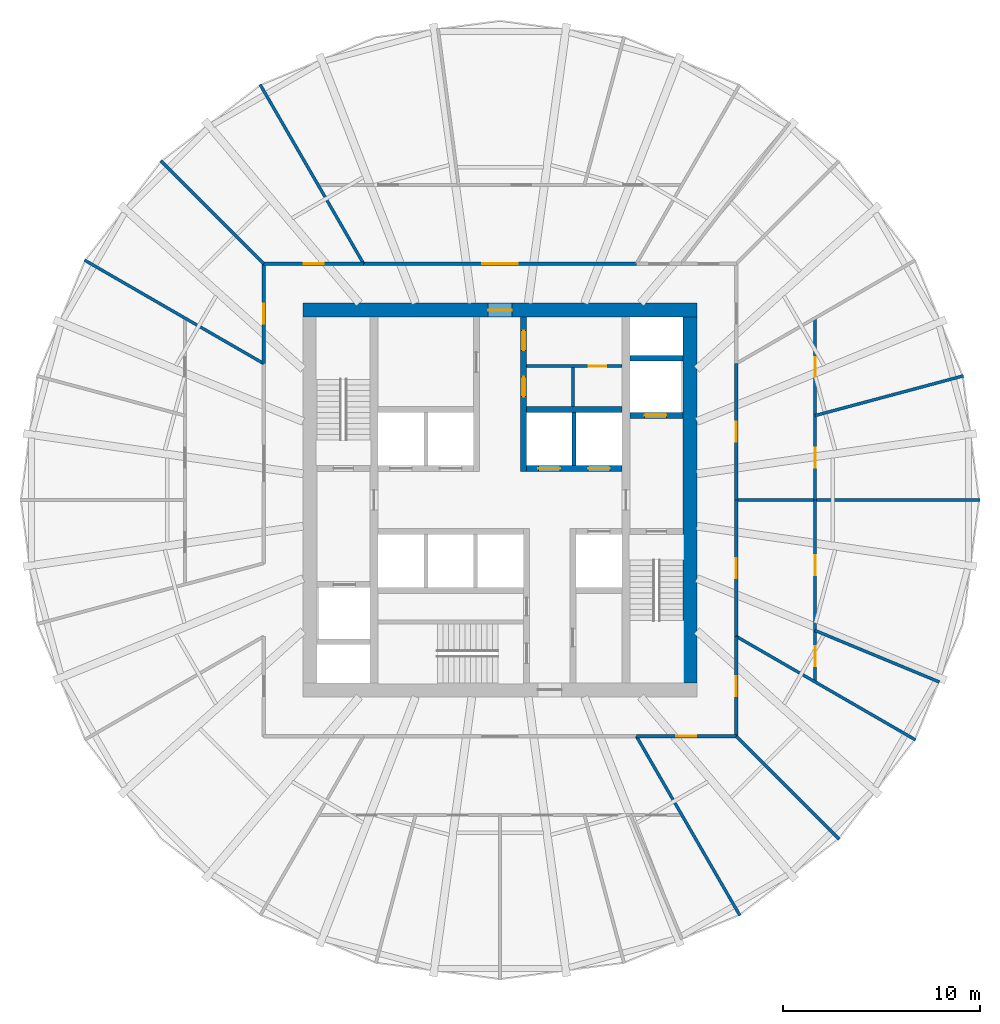
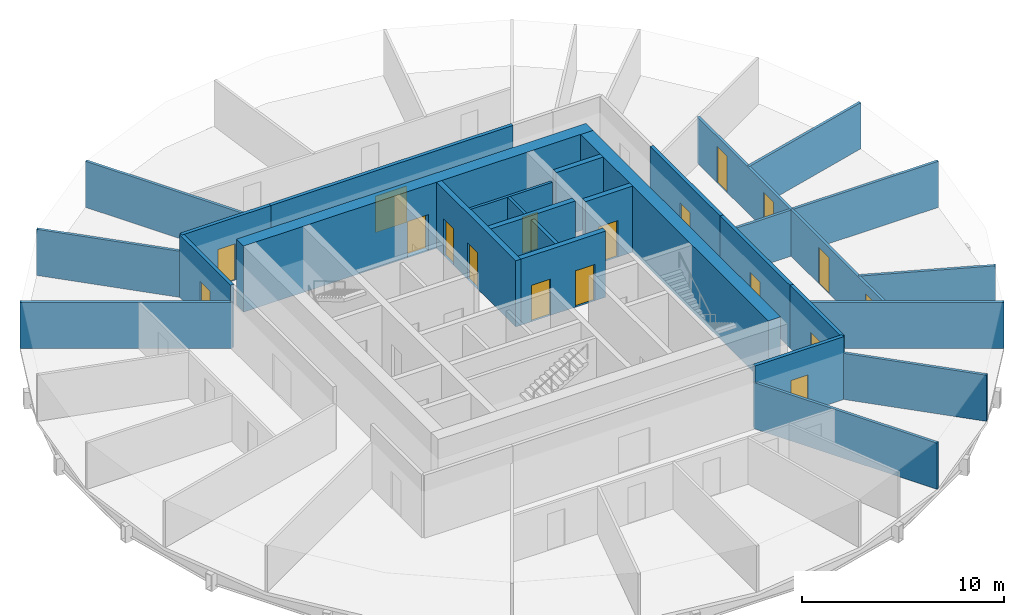
# One storey, part 4 of 6: 28 walls, 18 doors, 18 openings.
"""IFC4 building model written with IfcOpenShell, lengths in metres."""

import ifcopenshell
import ifcopenshell.guid

model = None  # the IFC model being written
_history = None  # IfcOwnerHistory: only IFC2X3 demands one
_inside = {}  # id of a spatial element -> (the spatial element, [elements in it])
_under = {}  # id of a project, library or spatial element -> (it, [spatial elements below it])
_declared = {}  # id of a project -> (the project, [libraries it declares])
_typed = {}  # id of a type object -> (the type object, [elements of that type])
_made_of = {}  # id of a material, layer set ... -> (it, [elements and type objects made of it])


def new_model(schema):
    """Start an empty IFC model of exactly this schema.

    Asked for "IFC4X3", IfcOpenShell would pick the latest addendum, in which some entities
    have other attributes; the version numbers below select the first issue.
    IFC2X3 requires an IfcOwnerHistory on every rooted entity: one is made here for all.
    """
    global model, _history
    if schema == "IFC4X3":
        model = ifcopenshell.file(schema_version=(4, 3, 0, 0))
    else:
        model = ifcopenshell.file(schema=schema)
    _inside.clear()
    _under.clear()
    _declared.clear()
    _typed.clear()
    _made_of.clear()
    _history = None
    if model.schema == "IFC2X3":
        org = make("IfcOrganization", Name="unknown")
        user = make(
            "IfcPersonAndOrganization",
            ThePerson=make("IfcPerson", FamilyName="unknown"),
            TheOrganization=org,
        )
        app = make(
            "IfcApplication",
            ApplicationDeveloper=org,
            Version="unknown",
            ApplicationFullName="unknown",
            ApplicationIdentifier="unknown",
        )
        _history = make(
            "IfcOwnerHistory",
            OwningUser=user,
            OwningApplication=app,
            ChangeAction="ADDED",
            CreationDate=0,
        )
    return model


def make(cls, **values):
    """One entity of the class cls with the attributes given. An attribute that is None is left unset."""
    return model.create_entity(
        cls, **{name: value for name, value in values.items() if value is not None}
    )


def rooted(cls, **values):
    """An entity with a GlobalId (a new one), such as an element, a storey or a relation."""
    return make(cls, GlobalId=ifcopenshell.guid.new(), OwnerHistory=_history, **values)


def si_unit(unit_type, name, prefix=None):
    """IfcSIUnit, for example si_unit("LENGTHUNIT", "METRE", prefix="MILLI")."""
    return make("IfcSIUnit", UnitType=unit_type, Prefix=prefix, Name=name)


def assignment(units):
    """IfcUnitAssignment: the units of a project."""
    return None if units is None else make("IfcUnitAssignment", Units=units)


def point(xyz):
    """IfcCartesianPoint."""
    return None if xyz is None else make("IfcCartesianPoint", Coordinates=xyz)


def direction(xyz):
    """IfcDirection."""
    return None if xyz is None else make("IfcDirection", DirectionRatios=xyz)


def frame(location, z_axis=None, x_axis=None):
    """IfcAxis2Placement3D, a coordinate frame: its origin and axes. An axis left out is left unset."""
    return make(
        "IfcAxis2Placement3D",
        Location=point(location),
        Axis=direction(z_axis),
        RefDirection=direction(x_axis),
    )


def frame_2d(location, x_axis=None):
    """IfcAxis2Placement2D, a coordinate frame in the plane: its origin and x axis."""
    return make(
        "IfcAxis2Placement2D", Location=point(location), RefDirection=direction(x_axis)
    )


def origin():
    """The frame at (0, 0, 0) with its axes left unset."""
    return frame((0.0, 0.0, 0.0))


def place(relative_to, where):
    """IfcLocalPlacement: puts the frame where relative to a parent placement (None: the world)."""
    return make(
        "IfcLocalPlacement", PlacementRelTo=relative_to, RelativePlacement=where
    )


def context(
    kind, dimensions, precision=None, world=None, true_north=None, identifier=None
):
    """IfcGeometricRepresentationContext, for example the 3D "Model" context."""
    return make(
        "IfcGeometricRepresentationContext",
        ContextIdentifier=identifier,
        ContextType=kind,
        CoordinateSpaceDimension=dimensions,
        Precision=precision,
        WorldCoordinateSystem=world,
        TrueNorth=true_north,
    )


def subcontext(parent, identifier, kind, view, scale=None):
    """IfcGeometricRepresentationSubContext, for example "Body" below "Model"."""
    return make(
        "IfcGeometricRepresentationSubContext",
        ContextIdentifier=identifier,
        ContextType=kind,
        ParentContext=parent,
        TargetScale=scale,
        TargetView=view,
    )


def project(units=None, contexts=None):
    """IfcProject with its units and contexts."""
    return rooted(
        "IfcProject",
        Name="project",
        RepresentationContexts=contexts,
        UnitsInContext=assignment(units),
    )


def spatial(cls, under=None, at=None, **own):
    """A site, building, storey or space (cls), placed at a placement, below another one or the project."""
    s = rooted(cls, ObjectPlacement=at, **own)
    if under is not None:
        _under.setdefault(under.id(), (under, []))[1].append(s)
    return s


def profile(cls, at=None, kind="AREA", **sizes):
    """A parametric profile (cls). Its sizes go by their IFC names, for example OverallWidth=200.0."""
    return make(cls, ProfileType=kind, Position=at, **sizes)


def rectangle(**sizes):
    """IfcRectangleProfileDef."""
    return profile("IfcRectangleProfileDef", **sizes)


def extrude(swept, where, along, depth):
    """IfcExtrudedAreaSolid: the profile swept, set in the frame where, extruded along a direction by depth."""
    return make(
        "IfcExtrudedAreaSolid",
        SweptArea=swept,
        Position=where,
        ExtrudedDirection=direction(along),
        Depth=depth,
    )


def shape(context_of_items, identifier, shape_type, items):
    """IfcShapeRepresentation: the items that make up one representation, for example the "Body"."""
    return make(
        "IfcShapeRepresentation",
        ContextOfItems=context_of_items,
        RepresentationIdentifier=identifier,
        RepresentationType=shape_type,
        Items=items,
    )


def material(Name=None, Category=None):
    """IfcMaterial."""
    return make("IfcMaterial", Name=Name, Category=Category)


def layer(
    of_material, thickness, ventilated=None, Name=None, Category=None, Priority=None
):
    """IfcMaterialLayer: one layer of a wall or slab, of a material (None: an air gap)."""
    return make(
        "IfcMaterialLayer",
        Material=of_material,
        LayerThickness=thickness,
        IsVentilated=ventilated,
        Name=Name,
        Category=Category,
        Priority=Priority,
    )


def layer_set(layers, Name=None):
    """IfcMaterialLayerSet."""
    return make("IfcMaterialLayerSet", MaterialLayers=layers, LayerSetName=Name)


def made_of(thing, what):
    """Note that an element or type object is made of a material, layer set ...; save() writes the relation."""
    if what is not None:
        _made_of.setdefault(what.id(), (what, []))[1].append(thing)
    return thing


def type_object(cls, material=None, **own):
    """A type object (cls), such as IfcWallType, which elements share."""
    return made_of(rooted(cls, **own), material)


def element(
    cls,
    number,
    at=None,
    inside=None,
    cuts=None,
    type_object=None,
    material=None,
    context=None,
    identifier="Body",
    shape_type=None,
    held_by="IfcProductDefinitionShape",
    body=None,
    shapes=None,
    **own,
):
    """One element of the class cls, such as IfcWall. Its Tag is "e" and its number.

    at: its placement. inside: the storey or other place that contains it. cuts: it is an
    opening in that element (IfcRelVoidsElement). A single representation is given by context,
    identifier, shape_type and body (its items); several are given by shapes. held_by: the class
    of the entity that holds the representations. save() writes the other relations.
    """
    e = rooted(cls, Tag="e%d" % number, ObjectPlacement=at, **own)
    if body is not None:
        shapes = [shape(context, identifier, shape_type, body)]
    if shapes is not None:
        e.Representation = make(held_by, Representations=shapes)
    if inside is not None:
        _inside.setdefault(inside.id(), (inside, []))[1].append(e)
    if cuts is not None:
        rooted(
            "IfcRelVoidsElement", RelatingBuildingElement=cuts, RelatedOpeningElement=e
        )
    if type_object is not None:
        _typed.setdefault(type_object.id(), (type_object, []))[1].append(e)
    return made_of(e, material)


def fill(opening, filler):
    """IfcRelFillsElement: the door or window that sits in an opening."""
    return rooted(
        "IfcRelFillsElement",
        RelatingOpeningElement=opening,
        RelatedBuildingElement=filler,
    )


def aggregate(whole, parts):
    """IfcRelAggregates: a whole, such as a stair, and the parts it consists of."""
    return rooted("IfcRelAggregates", RelatingObject=whole, RelatedObjects=parts)


def save(model, path):
    """Write the relations noted so far, then the file.

    IfcRelAggregates (storeys below a building ...), IfcRelContainedInSpatialStructure (elements
    in a storey), IfcRelDefinesByType, IfcRelAssociatesMaterial and IfcRelDeclares: one each for
    every whole, place, type object, material and project.
    """
    for whole, parts in _under.values():
        aggregate(whole, parts)
    for where, things in _inside.values():
        rooted(
            "IfcRelContainedInSpatialStructure",
            RelatedElements=things,
            RelatingStructure=where,
        )
    for kind, things in _typed.values():
        rooted("IfcRelDefinesByType", RelatedObjects=things, RelatingType=kind)
    for what, things in _made_of.values():
        rooted("IfcRelAssociatesMaterial", RelatedObjects=things, RelatingMaterial=what)
    for by, libraries in _declared.values():
        rooted("IfcRelDeclares", RelatingContext=by, RelatedDefinitions=libraries)
    model.write(path)


model = new_model("IFC4")

# Units and contexts
model_context = context("Model", 3, precision=1e-05, world=origin(), true_north=direction((0.0, 1.0)))
body_context = subcontext(model_context, "Body", "Model", "MODEL_VIEW")
ifc_project = project(units=[si_unit("LENGTHUNIT", "METRE"), si_unit("AREAUNIT", "SQUARE_METRE"), si_unit("VOLUMEUNIT", "CUBIC_METRE"), si_unit("PLANEANGLEUNIT", "RADIAN"), si_unit("MASSUNIT", "GRAM", prefix="KILO")], contexts=[model_context])

# Site, building, storey
site_placement = place(None, origin())
site = spatial("IfcSite", under=ifc_project, at=site_placement, CompositionType="ELEMENT")
building_placement = place(site_placement, origin())
building = spatial("IfcBuilding", under=site, at=building_placement, Name="Golbaran Civic Tower", CompositionType="ELEMENT")
storey_placement = place(building_placement, frame((0.0, 0.0, 94.0)))
storey = spatial("IfcBuildingStorey", under=building, at=storey_placement, Name="L22", CompositionType="ELEMENT", Elevation=94.0)

# Wall, opening, door
ifc_material_1 = material(Name="Concrete block", Category="concrete")
ifc_layer_1 = layer(ifc_material_1, 0.14990234375, Name="Concrete block")
ifc_layer_set_1 = layer_set([ifc_layer_1], Name="Concrete block")
wall_type_1 = type_object("IfcWallType", Name="BLOCKWORK PARTITION 150", PredefinedType="PARTITIONING", material=ifc_layer_set_1)
wall_1_placement = place(storey_placement, frame((1.35009765625, 6.800048828125, 0.0), z_axis=(0.0, 0.0, 1.0), x_axis=(1.0, 0.0, 0.0)))
wall_1 = element("IfcWall", 1, at=wall_1_placement, inside=storey, type_object=wall_type_1, Name="Toilet block partition TN1 L22", PredefinedType="PARTITIONING", context=body_context, shape_type="SweptSolid", body=[
    extrude(rectangle(XDim=4.849853515625, YDim=0.14990234375, at=frame_2d((2.4248046875, 0.0))), origin(), (0.0, 0.0, 1.0), 3.75),
])
opening_1_placement = place(wall_1_placement, frame((3.14990234375, 0.0, 0.0)))
opening_1 = element("IfcOpeningElement", 2, at=opening_1_placement, cuts=wall_1, Name="Opening L22.CLN", PredefinedType="OPENING", context=body_context, shape_type="SweptSolid", body=[
    extrude(rectangle(XDim=0.89990234375, YDim=2.199951171875, at=frame_2d((0.449951171875, 1.10009765625))), frame((0.0, 0.0849609375, 0.0), z_axis=(0.0, -1.0, 0.0), x_axis=(1.0, 0.0, 0.0)), (0.0, 0.0, 1.0), 0.169921875),
])
ifc_material_2 = material(Name="Timber door set in steel frame", Category="steel")
door_type_1 = type_object("IfcDoorType", Name="RISER DOOR 900x2200", OperationType="SINGLE_SWING_LEFT", PredefinedType="DOOR", material=ifc_material_2)
door_1_placement = place(opening_1_placement, origin())
door_1 = element("IfcDoor", 3, at=door_1_placement, inside=storey, type_object=door_type_1, Name="Cleaner's Store door", OperationType="SINGLE_SWING_RIGHT", OverallHeight=2.199951171875, OverallWidth=0.89990234375, PredefinedType="DOOR", context=body_context, shape_type="SweptSolid", body=[
    extrude(rectangle(XDim=0.89990234375, YDim=2.199951171875, at=frame_2d((0.449951171875, 1.10009765625))), frame((0.0, 0.02490234375, 0.0), z_axis=(0.0, -1.0, 0.0), x_axis=(1.0, 0.0, 0.0)), (0.0, 0.0, 1.0), 0.050048828125),
])
fill(opening_1, door_1)

# Wall
wall_2_placement = place(storey_placement, frame((3.699951171875, 4.75, 0.0), z_axis=(0.0, 0.0, 1.0), x_axis=(0.0, 1.0, 0.0)))
element("IfcWall", 4, at=wall_2_placement, inside=storey, type_object=wall_type_1, Name="Toilet block partition TN2 L22", PredefinedType="PARTITIONING", context=body_context, shape_type="SweptSolid", body=[
    extrude(rectangle(XDim=1.97509765625, YDim=0.14990234375, at=frame_2d((0.987548828125, 0.0))), origin(), (0.0, 0.0, 1.0), 3.75),
])

# Wall, opening, door
ifc_material_3 = material(Name="Concrete C50/60", Category="concrete")
ifc_layer_2 = layer(ifc_material_3, 0.699951171875, Name="Concrete C50/60")
ifc_layer_set_2 = layer_set([ifc_layer_2], Name="Concrete C50/60")
wall_type_2 = type_object("IfcWallType", Name="CORE WALL CONCRETE 700", PredefinedType="SOLIDWALL", material=ifc_layer_set_2)
wall_3_placement = place(storey_placement, frame((-10.0, 9.64990234375, 0.0), z_axis=(0.0, 0.0, 1.0), x_axis=(1.0, 0.0, 0.0)))
wall_3 = element("IfcWall", 5, at=wall_3_placement, inside=storey, type_object=wall_type_2, Name="Core wall CN L22", PredefinedType="SOLIDWALL", context=body_context, shape_type="SweptSolid", body=[
    extrude(rectangle(XDim=20.0, YDim=0.699951171875, at=frame_2d((10.0, 0.0))), origin(), (0.0, 0.0, 1.0), 4.0),
])
opening_2_placement = place(wall_3_placement, frame((9.39990234375, 0.0, 0.0)))
opening_2 = element("IfcOpeningElement", 6, at=opening_2_placement, cuts=wall_3, Name="Opening L22.CN", PredefinedType="OPENING", context=body_context, shape_type="SweptSolid", body=[
    extrude(rectangle(XDim=1.199951171875, YDim=2.199951171875, at=frame_2d((0.60009765625, 1.10009765625))), frame((0.0, 0.35986328125, 0.0), z_axis=(0.0, -1.0, 0.0), x_axis=(1.0, 0.0, 0.0)), (0.0, 0.0, 1.0), 0.719970703125),
])
door_type_2 = type_object("IfcDoorType", Name="CORE DOOR 1200x2200", OperationType="DOUBLE_DOOR_SINGLE_SWING", PredefinedType="DOOR", material=ifc_material_2)
door_2_placement = place(opening_2_placement, origin())
door_2 = element("IfcDoor", 7, at=door_2_placement, inside=storey, type_object=door_type_2, Name="Core door north", OperationType="DOUBLE_DOOR_SINGLE_SWING", OverallHeight=2.199951171875, OverallWidth=1.199951171875, PredefinedType="DOOR", context=body_context, shape_type="SweptSolid", body=[
    extrude(rectangle(XDim=1.199951171875, YDim=2.199951171875, at=frame_2d((0.60009765625, 1.10009765625))), frame((0.0, 0.02490234375, 0.0), z_axis=(0.0, -1.0, 0.0), x_axis=(1.0, 0.0, 0.0)), (0.0, 0.0, 1.0), 0.050048828125),
])
fill(opening_2, door_2)

# Wall
wall_4_placement = place(storey_placement, frame((9.64990234375, -9.300048828125, 0.0), z_axis=(0.0, 0.0, 1.0), x_axis=(0.0, 1.0, 0.0)))
element("IfcWall", 8, at=wall_4_placement, inside=storey, type_object=wall_type_2, Name="Core wall CE L22", PredefinedType="SOLIDWALL", context=body_context, shape_type="SweptSolid", body=[
    extrude(rectangle(XDim=18.60009765625, YDim=0.699951171875, at=frame_2d((9.300048828125, 0.0))), origin(), (0.0, 0.0, 1.0), 4.0),
])

# Wall, opening, door
ifc_material_4 = material(Name="Gypsum board on steel studs, fire-rated", Category="steel")
ifc_layer_3 = layer(ifc_material_4, 0.199951171875, Name="Gypsum board on steel studs, fire-rated")
ifc_layer_set_3 = layer_set([ifc_layer_3], Name="Gypsum board on steel studs, fire-rated")
wall_type_3 = type_object("IfcWallType", Name="CORRIDOR WALL 200", PredefinedType="PARTITIONING", material=ifc_layer_set_3)
wall_5_placement = place(storey_placement, frame((12.0, -6.92822265625, 0.0), z_axis=(0.0, 0.0, 1.0), x_axis=(0.0, 1.0, 0.0)))
wall_5 = element("IfcWall", 9, at=wall_5_placement, inside=storey, type_object=wall_type_3, Name="Corridor wall L22", PredefinedType="PARTITIONING", context=body_context, shape_type="SweptSolid", body=[
    extrude(rectangle(XDim=6.92822265625, YDim=0.199951171875, at=frame_2d((3.464111328125, 0.0))), origin(), (0.0, 0.0, 1.0), 3.800048828125),
])
opening_3_placement = place(wall_5_placement, frame((2.964111328125, 0.0, 0.0)))
opening_3 = element("IfcOpeningElement", 10, at=opening_3_placement, cuts=wall_5, Name="Opening L22.16", PredefinedType="OPENING", context=body_context, shape_type="SweptSolid", body=[
    extrude(rectangle(XDim=1.0, YDim=2.199951171875, at=frame_2d((0.5, 1.10009765625))), frame((0.0, 0.10986328125, 0.0), z_axis=(0.0, -1.0, 0.0), x_axis=(1.0, 0.0, 0.0)), (0.0, 0.0, 1.0), 0.219970703125),
])
door_type_3 = type_object("IfcDoorType", Name="OFFICE DOOR 1000x2200", OperationType="SINGLE_SWING_LEFT", PredefinedType="DOOR", material=ifc_material_2)
door_3_placement = place(opening_3_placement, origin())
door_3 = element("IfcDoor", 11, at=door_3_placement, inside=storey, type_object=door_type_3, Name="Waiting Area door L22", OperationType="SINGLE_SWING_LEFT", OverallHeight=2.199951171875, OverallWidth=1.0, PredefinedType="DOOR", context=body_context, shape_type="SweptSolid", body=[
    extrude(rectangle(XDim=1.0, YDim=2.199951171875, at=frame_2d((0.5, 1.10009765625))), frame((0.0, 0.02490234375, 0.0), z_axis=(0.0, -1.0, 0.0), x_axis=(1.0, 0.0, 0.0)), (0.0, 0.0, 1.0), 0.050048828125),
])
fill(opening_3, door_3)

wall_6_placement = place(storey_placement, frame((12.0, 0.0, 0.0), z_axis=(0.0, 0.0, 1.0), x_axis=(0.0, 1.0, 0.0)))
wall_6 = element("IfcWall", 12, at=wall_6_placement, inside=storey, type_object=wall_type_3, Name="Corridor wall L22", PredefinedType="PARTITIONING", context=body_context, shape_type="SweptSolid", body=[
    extrude(rectangle(XDim=6.92822265625, YDim=0.199951171875, at=frame_2d((3.464111328125, 0.0))), origin(), (0.0, 0.0, 1.0), 3.800048828125),
])
opening_4_placement = place(wall_6_placement, frame((2.964111328125, 0.0, 0.0)))
opening_4 = element("IfcOpeningElement", 13, at=opening_4_placement, cuts=wall_6, Name="Opening L22.17", PredefinedType="OPENING", context=body_context, shape_type="SweptSolid", body=[
    extrude(rectangle(XDim=1.0, YDim=2.199951171875, at=frame_2d((0.5, 1.10009765625))), frame((0.0, 0.10986328125, 0.0), z_axis=(0.0, -1.0, 0.0), x_axis=(1.0, 0.0, 0.0)), (0.0, 0.0, 1.0), 0.219970703125),
])
door_4_placement = place(opening_4_placement, origin())
door_4 = element("IfcDoor", 14, at=door_4_placement, inside=storey, type_object=door_type_3, Name="Waiting Area door L22", OperationType="SINGLE_SWING_LEFT", OverallHeight=2.199951171875, OverallWidth=1.0, PredefinedType="DOOR", context=body_context, shape_type="SweptSolid", body=[
    extrude(rectangle(XDim=1.0, YDim=2.199951171875, at=frame_2d((0.5, 1.10009765625))), frame((0.0, 0.02490234375, 0.0), z_axis=(0.0, -1.0, 0.0), x_axis=(1.0, 0.0, 0.0)), (0.0, 0.0, 1.0), 0.050048828125),
])
fill(opening_4, door_4)

wall_7_placement = place(storey_placement, frame((6.92822265625, 12.0, 0.0), z_axis=(0.0, 0.0, 1.0), x_axis=(-1.0, 0.0, 0.0)))
wall_7 = element("IfcWall", 15, at=wall_7_placement, inside=storey, type_object=wall_type_3, Name="Corridor wall L22", PredefinedType="PARTITIONING", context=body_context, shape_type="SweptSolid", body=[
    extrude(rectangle(XDim=13.8564453125, YDim=0.199951171875, at=frame_2d((6.92822265625, 0.0))), origin(), (0.0, 0.0, 1.0), 3.800048828125),
])
opening_5_placement = place(wall_7_placement, frame((6.0283203125, 0.0, 0.0)))
opening_5 = element("IfcOpeningElement", 16, at=opening_5_placement, cuts=wall_7, Name="Opening L22.21", PredefinedType="OPENING", context=body_context, shape_type="SweptSolid", body=[
    extrude(rectangle(XDim=1.800048828125, YDim=2.199951171875, at=frame_2d((0.89990234375, 1.10009765625))), frame((0.0, 0.10986328125, 0.0), z_axis=(0.0, -1.0, 0.0), x_axis=(1.0, 0.0, 0.0)), (0.0, 0.0, 1.0), 0.219970703125),
])
door_type_4 = type_object("IfcDoorType", Name="OFFICE DOUBLE DOOR 1800x2200", OperationType="DOUBLE_DOOR_SINGLE_SWING", PredefinedType="DOOR", material=ifc_material_2)
door_5_placement = place(opening_5_placement, origin())
door_5 = element("IfcDoor", 17, at=door_5_placement, inside=storey, type_object=door_type_4, Name="Secretariat door L22", OperationType="DOUBLE_DOOR_SINGLE_SWING", OverallHeight=2.199951171875, OverallWidth=1.800048828125, PredefinedType="DOOR", context=body_context, shape_type="SweptSolid", body=[
    extrude(rectangle(XDim=1.800048828125, YDim=2.199951171875, at=frame_2d((0.89990234375, 1.10009765625))), frame((0.0, 0.02490234375, 0.0), z_axis=(0.0, -1.0, 0.0), x_axis=(1.0, 0.0, 0.0)), (0.0, 0.0, 1.0), 0.050048828125),
])
fill(opening_5, door_5)

wall_8_placement = place(storey_placement, frame((-6.92822265625, 12.0, 0.0), z_axis=(0.0, 0.0, 1.0), x_axis=(-1.0, 0.0, 0.0)))
wall_8 = element("IfcWall", 18, at=wall_8_placement, inside=storey, type_object=wall_type_3, Name="Corridor wall L22", PredefinedType="PARTITIONING", context=body_context, shape_type="SweptSolid", body=[
    extrude(rectangle(XDim=5.07177734375, YDim=0.199951171875, at=frame_2d((2.535888671875, 0.0))), origin(), (0.0, 0.0, 1.0), 3.800048828125),
])
opening_6_placement = place(wall_8_placement, frame((2.035888671875, 0.0, 0.0)))
opening_6 = element("IfcOpeningElement", 19, at=opening_6_placement, cuts=wall_8, Name="Opening L22.22", PredefinedType="OPENING", context=body_context, shape_type="SweptSolid", body=[
    extrude(rectangle(XDim=1.0, YDim=2.199951171875, at=frame_2d((0.5, 1.10009765625))), frame((0.0, 0.10986328125, 0.0), z_axis=(0.0, -1.0, 0.0), x_axis=(1.0, 0.0, 0.0)), (0.0, 0.0, 1.0), 0.219970703125),
])
door_6_placement = place(opening_6_placement, origin())
door_6 = element("IfcDoor", 20, at=door_6_placement, inside=storey, type_object=door_type_3, Name="Office door L22", OperationType="SINGLE_SWING_RIGHT", OverallHeight=2.199951171875, OverallWidth=1.0, PredefinedType="DOOR", context=body_context, shape_type="SweptSolid", body=[
    extrude(rectangle(XDim=1.0, YDim=2.199951171875, at=frame_2d((0.5, 1.10009765625))), frame((0.0, 0.02490234375, 0.0), z_axis=(0.0, -1.0, 0.0), x_axis=(1.0, 0.0, 0.0)), (0.0, 0.0, 1.0), 0.050048828125),
])
fill(opening_6, door_6)

wall_9_placement = place(storey_placement, frame((-12.0, 12.0, 0.0), z_axis=(0.0, 0.0, 1.0), x_axis=(0.0, -1.0, 0.0)))
wall_9 = element("IfcWall", 21, at=wall_9_placement, inside=storey, type_object=wall_type_3, Name="Corridor wall L22", PredefinedType="PARTITIONING", context=body_context, shape_type="SweptSolid", body=[
    extrude(rectangle(XDim=5.07177734375, YDim=0.199951171875, at=frame_2d((2.535888671875, 0.0))), origin(), (0.0, 0.0, 1.0), 3.800048828125),
])
opening_7_placement = place(wall_9_placement, frame((2.035888671875, 0.0, 0.0)))
opening_7 = element("IfcOpeningElement", 22, at=opening_7_placement, cuts=wall_9, Name="Opening L22.23", PredefinedType="OPENING", context=body_context, shape_type="SweptSolid", body=[
    extrude(rectangle(XDim=1.0, YDim=2.199951171875, at=frame_2d((0.5, 1.10009765625))), frame((0.0, 0.10986328125, 0.0), z_axis=(0.0, -1.0, 0.0), x_axis=(1.0, 0.0, 0.0)), (0.0, 0.0, 1.0), 0.219970703125),
])
door_7_placement = place(opening_7_placement, origin())
door_7 = element("IfcDoor", 23, at=door_7_placement, inside=storey, type_object=door_type_3, Name="Store door L22", OperationType="SINGLE_SWING_RIGHT", OverallHeight=2.199951171875, OverallWidth=1.0, PredefinedType="DOOR", context=body_context, shape_type="SweptSolid", body=[
    extrude(rectangle(XDim=1.0, YDim=2.199951171875, at=frame_2d((0.5, 1.10009765625))), frame((0.0, 0.02490234375, 0.0), z_axis=(0.0, -1.0, 0.0), x_axis=(1.0, 0.0, 0.0)), (0.0, 0.0, 1.0), 0.050048828125),
])
fill(opening_7, door_7)

wall_10_placement = place(storey_placement, frame((6.92822265625, -12.0, 0.0), z_axis=(0.0, 0.0, 1.0), x_axis=(1.0, 0.0, 0.0)))
wall_10 = element("IfcWall", 24, at=wall_10_placement, inside=storey, type_object=wall_type_3, Name="Corridor wall L22", PredefinedType="PARTITIONING", context=body_context, shape_type="SweptSolid", body=[
    extrude(rectangle(XDim=5.07177734375, YDim=0.199951171875, at=frame_2d((2.535888671875, 0.0))), origin(), (0.0, 0.0, 1.0), 3.800048828125),
])
opening_8_placement = place(wall_10_placement, frame((2.035888671875, 0.0, 0.0)))
opening_8 = element("IfcOpeningElement", 25, at=opening_8_placement, cuts=wall_10, Name="Opening L22.27", PredefinedType="OPENING", context=body_context, shape_type="SweptSolid", body=[
    extrude(rectangle(XDim=1.0, YDim=2.199951171875, at=frame_2d((0.5, 1.10009765625))), frame((0.0, 0.10986328125, 0.0), z_axis=(0.0, -1.0, 0.0), x_axis=(1.0, 0.0, 0.0)), (0.0, 0.0, 1.0), 0.219970703125),
])
door_8_placement = place(opening_8_placement, origin())
door_8 = element("IfcDoor", 26, at=door_8_placement, inside=storey, type_object=door_type_3, Name="Office door L22", OperationType="SINGLE_SWING_LEFT", OverallHeight=2.199951171875, OverallWidth=1.0, PredefinedType="DOOR", context=body_context, shape_type="SweptSolid", body=[
    extrude(rectangle(XDim=1.0, YDim=2.199951171875, at=frame_2d((0.5, 1.10009765625))), frame((0.0, 0.02490234375, 0.0), z_axis=(0.0, -1.0, 0.0), x_axis=(1.0, 0.0, 0.0)), (0.0, 0.0, 1.0), 0.050048828125),
])
fill(opening_8, door_8)

wall_11_placement = place(storey_placement, frame((12.0, -12.0, 0.0), z_axis=(0.0, 0.0, 1.0), x_axis=(0.0, 1.0, 0.0)))
wall_11 = element("IfcWall", 27, at=wall_11_placement, inside=storey, type_object=wall_type_3, Name="Corridor wall L22", PredefinedType="PARTITIONING", context=body_context, shape_type="SweptSolid", body=[
    extrude(rectangle(XDim=5.07177734375, YDim=0.199951171875, at=frame_2d((2.535888671875, 0.0))), origin(), (0.0, 0.0, 1.0), 3.800048828125),
])
opening_9_placement = place(wall_11_placement, frame((2.035888671875, 0.0, 0.0)))
opening_9 = element("IfcOpeningElement", 28, at=opening_9_placement, cuts=wall_11, Name="Opening L22.28", PredefinedType="OPENING", context=body_context, shape_type="SweptSolid", body=[
    extrude(rectangle(XDim=1.0, YDim=2.199951171875, at=frame_2d((0.5, 1.10009765625))), frame((0.0, 0.10986328125, 0.0), z_axis=(0.0, -1.0, 0.0), x_axis=(1.0, 0.0, 0.0)), (0.0, 0.0, 1.0), 0.219970703125),
])
door_9_placement = place(opening_9_placement, origin())
door_9 = element("IfcDoor", 29, at=door_9_placement, inside=storey, type_object=door_type_3, Name="Store door L22", OperationType="SINGLE_SWING_LEFT", OverallHeight=2.199951171875, OverallWidth=1.0, PredefinedType="DOOR", context=body_context, shape_type="SweptSolid", body=[
    extrude(rectangle(XDim=1.0, YDim=2.199951171875, at=frame_2d((0.5, 1.10009765625))), frame((0.0, 0.02490234375, 0.0), z_axis=(0.0, -1.0, 0.0), x_axis=(1.0, 0.0, 0.0)), (0.0, 0.0, 1.0), 0.050048828125),
])
fill(opening_9, door_9)

# Walls
ifc_layer_4 = layer(ifc_material_1, 0.199951171875, Name="Concrete block")
ifc_layer_set_4 = layer_set([ifc_layer_4], Name="Concrete block")
wall_type_4 = type_object("IfcWallType", Name="LIFT SEPARATOR WALL 200", PredefinedType="SOLIDWALL", material=ifc_layer_set_4)
wall_12_placement = place(storey_placement, frame((3.75, 1.75, 0.0), z_axis=(0.0, 0.0, 1.0), x_axis=(0.0, 1.0, 0.0)))
element("IfcWall", 30, at=wall_12_placement, inside=storey, type_object=wall_type_4, Name="Core partition SNE L22", PredefinedType="SOLIDWALL", context=body_context, shape_type="SweptSolid", body=[
    extrude(rectangle(XDim=2.699951171875, YDim=0.199951171875, at=frame_2d((1.35009765625, 0.0))), origin(), (0.0, 0.0, 1.0), 3.75),
])
ifc_material_5 = material(Name="Gypsum board on steel studs", Category="steel")
ifc_layer_5 = layer(ifc_material_5, 0.14990234375, Name="Gypsum board on steel studs")
ifc_layer_set_5 = layer_set([ifc_layer_5], Name="Gypsum board on steel studs")
wall_type_5 = type_object("IfcWallType", Name="OFFICE PARTITION 150", PredefinedType="PARTITIONING", material=ifc_layer_set_5)
wall_13_placement = place(storey_placement, frame((12.0, -6.92822265625, 0.0), z_axis=(0.0, 0.0, 1.0), x_axis=(0.866028201971, -0.499995153367, 0.0)))
element("IfcWall", 31, at=wall_13_placement, inside=storey, type_object=wall_type_5, Name="Partition 330 L22", PredefinedType="PARTITIONING", context=body_context, shape_type="SweptSolid", body=[
    extrude(rectangle(XDim=10.513671875, YDim=0.14990234375, at=frame_2d((5.2568359375, 0.0))), origin(), (0.0, 0.0, 1.0), 2.7900390625),
])
wall_14_placement = place(storey_placement, frame((12.0, 0.0, 0.0), z_axis=(0.0, 0.0, 1.0), x_axis=(1.0, 0.0, 0.0)))
element("IfcWall", 32, at=wall_14_placement, inside=storey, type_object=wall_type_5, Name="Partition 0 L22", PredefinedType="PARTITIONING", context=body_context, shape_type="SweptSolid", body=[
    extrude(rectangle(XDim=12.3701171875, YDim=0.14990234375, at=frame_2d((6.18505859375, 0.0))), origin(), (0.0, 0.0, 1.0), 2.7900390625),
])
wall_15_placement = place(storey_placement, frame((-6.92822265625, 12.0, 0.0), z_axis=(0.0, 0.0, 1.0), x_axis=(-0.499995153367, 0.866028201971, 0.0)))
element("IfcWall", 33, at=wall_15_placement, inside=storey, type_object=wall_type_5, Name="Partition 120 L22", PredefinedType="PARTITIONING", context=body_context, shape_type="SweptSolid", body=[
    extrude(rectangle(XDim=10.513671875, YDim=0.14990234375, at=frame_2d((5.2568359375, 0.0))), origin(), (0.0, 0.0, 1.0), 2.7900390625),
])
wall_16_placement = place(storey_placement, frame((-12.0, 12.0, 0.0), z_axis=(0.0, 0.0, 1.0), x_axis=(-0.707106781187, 0.707106781187, 0.0)))
element("IfcWall", 34, at=wall_16_placement, inside=storey, type_object=wall_type_5, Name="Partition 135 L22", PredefinedType="PARTITIONING", context=body_context, shape_type="SweptSolid", body=[
    extrude(rectangle(XDim=7.399658203125, YDim=0.14990234375, at=frame_2d((3.69970703125, 0.0))), origin(), (0.0, 0.0, 1.0), 2.7900390625),
])
for number, where, z_axis, x_axis, name in (
    (35, (-12.0, 6.92822265625, 0.0), (0.0, 0.0, 1.0), (-0.866028201971, 0.499995153367, 0.0), "Partition 150 L22"),
    (36, (6.92822265625, -12.0, 0.0), (0.0, 0.0, 1.0), (0.499995153367, -0.866028201971, 0.0), "Partition 300 L22"),
):
    element("IfcWall", number, at=place(storey_placement, frame(where, z_axis=z_axis, x_axis=x_axis)), inside=storey, type_object=wall_type_5, Name=name, PredefinedType="PARTITIONING", context=body_context, shape_type="SweptSolid", body=[
        extrude(rectangle(XDim=10.513671875, YDim=0.14990234375, at=frame_2d((5.2568359375, 0.0))), origin(), (0.0, 0.0, 1.0), 2.7900390625),
    ])
wall_17_placement = place(storey_placement, frame((12.0, -12.0, 0.0), z_axis=(0.0, 0.0, 1.0), x_axis=(0.707106781187, -0.707106781187, 0.0)))
element("IfcWall", 37, at=wall_17_placement, inside=storey, type_object=wall_type_5, Name="Partition 315 L22", PredefinedType="PARTITIONING", context=body_context, shape_type="SweptSolid", body=[
    extrude(rectangle(XDim=7.399658203125, YDim=0.14990234375, at=frame_2d((3.69970703125, 0.0))), origin(), (0.0, 0.0, 1.0), 2.7900390625),
])

# Wall, openings, doors
wall_18_placement = place(storey_placement, frame((16.0, -9.237548828125, 0.0), z_axis=(0.0, 0.0, 1.0), x_axis=(0.0, 1.0, 0.0)))
wall_18 = element("IfcWall", 38, at=wall_18_placement, inside=storey, type_object=wall_type_5, Name="Suite partition L22", PredefinedType="PARTITIONING", context=body_context, shape_type="SweptSolid", body=[
    extrude(rectangle(XDim=9.237548828125, YDim=0.14990234375, at=frame_2d((4.61865234375, 0.0))), origin(), (0.0, 0.0, 1.0), 2.7900390625),
])
opening_10_placement = place(wall_18_placement, frame((0.80517578125, 0.0, 0.0)))
opening_10 = element("IfcOpeningElement", 39, at=opening_10_placement, cuts=wall_18, Name="Opening L22.01", PredefinedType="OPENING", context=body_context, shape_type="SweptSolid", body=[
    extrude(rectangle(XDim=1.0, YDim=2.199951171875, at=frame_2d((0.5, 1.10009765625))), frame((0.0, 0.0849609375, 0.0), z_axis=(0.0, -1.0, 0.0), x_axis=(1.0, 0.0, 0.0)), (0.0, 0.0, 1.0), 0.169921875),
])
opening_11_placement = place(wall_18_placement, frame((5.423828125, 0.0, 0.0)))
opening_11 = element("IfcOpeningElement", 40, at=opening_11_placement, cuts=wall_18, Name="Opening L22.02", PredefinedType="OPENING", context=body_context, shape_type="SweptSolid", body=[
    extrude(rectangle(XDim=1.0, YDim=2.199951171875, at=frame_2d((0.5, 1.10009765625))), frame((0.0, 0.0849609375, 0.0), z_axis=(0.0, -1.0, 0.0), x_axis=(1.0, 0.0, 0.0)), (0.0, 0.0, 1.0), 0.169921875),
])
door_10_placement = place(opening_10_placement, origin())
door_10 = element("IfcDoor", 41, at=door_10_placement, inside=storey, type_object=door_type_3, Name="Director's Office door L22", OperationType="SINGLE_SWING_LEFT", OverallHeight=2.199951171875, OverallWidth=1.0, PredefinedType="DOOR", context=body_context, shape_type="SweptSolid", body=[
    extrude(rectangle(XDim=1.0, YDim=2.199951171875, at=frame_2d((0.5, 1.10009765625))), frame((0.0, 0.02490234375, 0.0), z_axis=(0.0, -1.0, 0.0), x_axis=(1.0, 0.0, 0.0)), (0.0, 0.0, 1.0), 0.050048828125),
])
fill(opening_10, door_10)
door_11_placement = place(opening_11_placement, origin())
door_11 = element("IfcDoor", 42, at=door_11_placement, inside=storey, type_object=door_type_3, Name="Office door L22", OperationType="SINGLE_SWING_RIGHT", OverallHeight=2.199951171875, OverallWidth=1.0, PredefinedType="DOOR", context=body_context, shape_type="SweptSolid", body=[
    extrude(rectangle(XDim=1.0, YDim=2.199951171875, at=frame_2d((0.5, 1.10009765625))), frame((0.0, 0.02490234375, 0.0), z_axis=(0.0, -1.0, 0.0), x_axis=(1.0, 0.0, 0.0)), (0.0, 0.0, 1.0), 0.050048828125),
])
fill(opening_11, door_11)

# Wall
wall_19_placement = place(storey_placement, frame((16.0, -6.62744140625, 0.0), z_axis=(0.0, 0.0, 1.0), x_axis=(0.923878127723, -0.382686823805, 0.0)))
element("IfcWall", 43, at=wall_19_placement, inside=storey, type_object=wall_type_5, Name="Partition 337.5 L22", PredefinedType="PARTITIONING", context=body_context, shape_type="SweptSolid", body=[
    extrude(rectangle(XDim=6.843505859375, YDim=0.14990234375, at=frame_2d((3.421875, 0.0))), origin(), (0.0, 0.0, 1.0), 2.7900390625),
])

# Wall, openings, doors
wall_20_placement = place(storey_placement, frame((16.0, 0.0, 0.0), z_axis=(0.0, 0.0, 1.0), x_axis=(0.0, 1.0, 0.0)))
wall_20 = element("IfcWall", 44, at=wall_20_placement, inside=storey, type_object=wall_type_5, Name="Suite partition L22", PredefinedType="PARTITIONING", context=body_context, shape_type="SweptSolid", body=[
    extrude(rectangle(XDim=9.237548828125, YDim=0.14990234375, at=frame_2d((4.61865234375, 0.0))), origin(), (0.0, 0.0, 1.0), 2.7900390625),
])
opening_12_placement = place(wall_20_placement, frame((1.6435546875, 0.0, 0.0)))
opening_12 = element("IfcOpeningElement", 45, at=opening_12_placement, cuts=wall_20, Name="Opening L22.03", PredefinedType="OPENING", context=body_context, shape_type="SweptSolid", body=[
    extrude(rectangle(XDim=1.0, YDim=2.199951171875, at=frame_2d((0.5, 1.10009765625))), frame((0.0, 0.0849609375, 0.0), z_axis=(0.0, -1.0, 0.0), x_axis=(1.0, 0.0, 0.0)), (0.0, 0.0, 1.0), 0.169921875),
])
opening_13_placement = place(wall_20_placement, frame((6.262451171875, 0.0, 0.0)))
opening_13 = element("IfcOpeningElement", 46, at=opening_13_placement, cuts=wall_20, Name="Opening L22.04", PredefinedType="OPENING", context=body_context, shape_type="SweptSolid", body=[
    extrude(rectangle(XDim=1.0, YDim=2.199951171875, at=frame_2d((0.5, 1.10009765625))), frame((0.0, 0.0849609375, 0.0), z_axis=(0.0, -1.0, 0.0), x_axis=(1.0, 0.0, 0.0)), (0.0, 0.0, 1.0), 0.169921875),
])
door_12_placement = place(opening_12_placement, origin())
door_12 = element("IfcDoor", 47, at=door_12_placement, inside=storey, type_object=door_type_3, Name="Director's Office door L22", OperationType="SINGLE_SWING_LEFT", OverallHeight=2.199951171875, OverallWidth=1.0, PredefinedType="DOOR", context=body_context, shape_type="SweptSolid", body=[
    extrude(rectangle(XDim=1.0, YDim=2.199951171875, at=frame_2d((0.5, 1.10009765625))), frame((0.0, 0.02490234375, 0.0), z_axis=(0.0, -1.0, 0.0), x_axis=(1.0, 0.0, 0.0)), (0.0, 0.0, 1.0), 0.050048828125),
])
fill(opening_12, door_12)
door_13_placement = place(opening_13_placement, origin())
door_13 = element("IfcDoor", 48, at=door_13_placement, inside=storey, type_object=door_type_3, Name="Office door L22", OperationType="SINGLE_SWING_RIGHT", OverallHeight=2.199951171875, OverallWidth=1.0, PredefinedType="DOOR", context=body_context, shape_type="SweptSolid", body=[
    extrude(rectangle(XDim=1.0, YDim=2.199951171875, at=frame_2d((0.5, 1.10009765625))), frame((0.0, 0.02490234375, 0.0), z_axis=(0.0, -1.0, 0.0), x_axis=(1.0, 0.0, 0.0)), (0.0, 0.0, 1.0), 0.050048828125),
])
fill(opening_13, door_13)

# Wall
wall_21_placement = place(storey_placement, frame((16.0, 4.287109375, 0.0), z_axis=(0.0, 0.0, 1.0), x_axis=(0.965926412025, 0.258816859097, 0.0)))
element("IfcWall", 49, at=wall_21_placement, inside=storey, type_object=wall_type_5, Name="Partition 15 L22", PredefinedType="PARTITIONING", context=body_context, shape_type="SweptSolid", body=[
    extrude(rectangle(XDim=7.8056640625, YDim=0.14990234375, at=frame_2d((3.90283203125, 0.0))), origin(), (0.0, 0.0, 1.0), 2.7900390625),
])

# Wall, openings, doors
ifc_layer_6 = layer(ifc_material_3, 0.300048828125, Name="Concrete C50/60")
ifc_layer_set_6 = layer_set([ifc_layer_6], Name="Concrete C50/60")
wall_type_6 = type_object("IfcWallType", Name="SHAFT WALL CONCRETE 300", PredefinedType="SOLIDWALL", material=ifc_layer_set_6)
wall_22_placement = place(storey_placement, frame((1.35009765625, 1.60009765625, 0.0), z_axis=(0.0, 0.0, 1.0), x_axis=(1.0, 0.0, 0.0)))
wall_22 = element("IfcWall", 50, at=wall_22_placement, inside=storey, type_object=wall_type_6, Name="Core wall FNE L22", PredefinedType="SOLIDWALL", context=body_context, shape_type="SweptSolid", body=[
    extrude(rectangle(XDim=4.849853515625, YDim=0.300048828125, at=frame_2d((2.4248046875, 0.0))), origin(), (0.0, 0.0, 1.0), 4.0),
])
opening_14_placement = place(wall_22_placement, frame((0.60009765625, 0.0, 0.0)))
opening_14 = element("IfcOpeningElement", 51, at=opening_14_placement, cuts=wall_22, Name="Opening L22.LD-Z3M", PredefinedType="OPENING", context=body_context, shape_type="SweptSolid", body=[
    extrude(rectangle(XDim=1.10009765625, YDim=2.199951171875, at=frame_2d((0.550048828125, 1.10009765625))), frame((0.0, 0.159912109375, 0.0), z_axis=(0.0, -1.0, 0.0), x_axis=(1.0, 0.0, 0.0)), (0.0, 0.0, 1.0), 0.320068359375),
])
opening_15_placement = place(wall_22_placement, frame((3.125, 0.0, 0.0)))
opening_15 = element("IfcOpeningElement", 52, at=opening_15_placement, cuts=wall_22, Name="Opening L22.LD-Z4M", PredefinedType="OPENING", context=body_context, shape_type="SweptSolid", body=[
    extrude(rectangle(XDim=1.10009765625, YDim=2.199951171875, at=frame_2d((0.550048828125, 1.10009765625))), frame((0.0, 0.159912109375, 0.0), z_axis=(0.0, -1.0, 0.0), x_axis=(1.0, 0.0, 0.0)), (0.0, 0.0, 1.0), 0.320068359375),
])
ifc_material_6 = material(Name="Stainless steel", Category="steel")
door_type_5 = type_object("IfcDoorType", Name="LIFT LANDING DOOR 1100x2200", OperationType="SLIDING_TO_LEFT", PredefinedType="DOOR", material=ifc_material_6)
door_14_placement = place(opening_14_placement, origin())
door_14 = element("IfcDoor", 53, at=door_14_placement, inside=storey, type_object=door_type_5, Name="Lift landing door Z3M", OperationType="SLIDING_TO_LEFT", OverallHeight=2.199951171875, OverallWidth=1.10009765625, PredefinedType="DOOR", context=body_context, shape_type="SweptSolid", body=[
    extrude(rectangle(XDim=1.10009765625, YDim=2.199951171875, at=frame_2d((0.550048828125, 1.10009765625))), frame((0.0, 0.02490234375, 0.0), z_axis=(0.0, -1.0, 0.0), x_axis=(1.0, 0.0, 0.0)), (0.0, 0.0, 1.0), 0.050048828125),
])
fill(opening_14, door_14)
door_15_placement = place(opening_15_placement, origin())
door_15 = element("IfcDoor", 54, at=door_15_placement, inside=storey, type_object=door_type_5, Name="Lift landing door Z4M", OperationType="SLIDING_TO_LEFT", OverallHeight=2.199951171875, OverallWidth=1.10009765625, PredefinedType="DOOR", context=body_context, shape_type="SweptSolid", body=[
    extrude(rectangle(XDim=1.10009765625, YDim=2.199951171875, at=frame_2d((0.550048828125, 1.10009765625))), frame((0.0, 0.02490234375, 0.0), z_axis=(0.0, -1.0, 0.0), x_axis=(1.0, 0.0, 0.0)), (0.0, 0.0, 1.0), 0.050048828125),
])
fill(opening_15, door_15)

# Wall
wall_23_placement = place(storey_placement, frame((1.35009765625, 4.60009765625, 0.0), z_axis=(0.0, 0.0, 1.0), x_axis=(1.0, 0.0, 0.0)))
element("IfcWall", 55, at=wall_23_placement, inside=storey, type_object=wall_type_6, Name="Core wall BNE L22", PredefinedType="SOLIDWALL", context=body_context, shape_type="SweptSolid", body=[
    extrude(rectangle(XDim=4.849853515625, YDim=0.300048828125, at=frame_2d((2.4248046875, 0.0))), origin(), (0.0, 0.0, 1.0), 4.0),
])

# Wall, openings, doors
wall_24_placement = place(storey_placement, frame((1.199951171875, 1.449951171875, 0.0), z_axis=(0.0, 0.0, 1.0), x_axis=(0.0, 1.0, 0.0)))
wall_24 = element("IfcWall", 56, at=wall_24_placement, inside=storey, type_object=wall_type_6, Name="Core wall PNE L22", PredefinedType="SOLIDWALL", context=body_context, shape_type="SweptSolid", body=[
    extrude(rectangle(XDim=7.85009765625, YDim=0.300048828125, at=frame_2d((3.925048828125, 0.0))), origin(), (0.0, 0.0, 1.0), 4.0),
])
opening_16_placement = place(wall_24_placement, frame((3.800048828125, 0.0, 0.0)))
opening_16 = element("IfcOpeningElement", 57, at=opening_16_placement, cuts=wall_24, Name="Opening L22.WCA", PredefinedType="OPENING", context=body_context, shape_type="SweptSolid", body=[
    extrude(rectangle(XDim=1.0, YDim=2.199951171875, at=frame_2d((0.5, 1.10009765625))), frame((0.0, 0.159912109375, 0.0), z_axis=(0.0, -1.0, 0.0), x_axis=(1.0, 0.0, 0.0)), (0.0, 0.0, 1.0), 0.320068359375),
])
opening_17_placement = place(wall_24_placement, frame((6.14990234375, 0.0, 0.0)))
opening_17 = element("IfcOpeningElement", 58, at=opening_17_placement, cuts=wall_24, Name="Opening L22.WCF", PredefinedType="OPENING", context=body_context, shape_type="SweptSolid", body=[
    extrude(rectangle(XDim=1.0, YDim=2.199951171875, at=frame_2d((0.5, 1.10009765625))), frame((0.0, 0.159912109375, 0.0), z_axis=(0.0, -1.0, 0.0), x_axis=(1.0, 0.0, 0.0)), (0.0, 0.0, 1.0), 0.320068359375),
])
door_type_6 = type_object("IfcDoorType", Name="TOILET DOOR 1000x2200", OperationType="SINGLE_SWING_LEFT", PredefinedType="DOOR", material=ifc_material_2)
door_16_placement = place(opening_16_placement, origin())
door_16 = element("IfcDoor", 59, at=door_16_placement, inside=storey, type_object=door_type_6, Name="Accessible WC door", OperationType="SINGLE_SWING_RIGHT", OverallHeight=2.199951171875, OverallWidth=1.0, PredefinedType="DOOR", context=body_context, shape_type="SweptSolid", body=[
    extrude(rectangle(XDim=1.0, YDim=2.199951171875, at=frame_2d((0.5, 1.10009765625))), frame((0.0, 0.02490234375, 0.0), z_axis=(0.0, -1.0, 0.0), x_axis=(1.0, 0.0, 0.0)), (0.0, 0.0, 1.0), 0.050048828125),
])
fill(opening_16, door_16)
door_17_placement = place(opening_17_placement, origin())
door_17 = element("IfcDoor", 60, at=door_17_placement, inside=storey, type_object=door_type_6, Name="North-east toilet block door", OperationType="SINGLE_SWING_RIGHT", OverallHeight=2.199951171875, OverallWidth=1.0, PredefinedType="DOOR", context=body_context, shape_type="SweptSolid", body=[
    extrude(rectangle(XDim=1.0, YDim=2.199951171875, at=frame_2d((0.5, 1.10009765625))), frame((0.0, 0.02490234375, 0.0), z_axis=(0.0, -1.0, 0.0), x_axis=(1.0, 0.0, 0.0)), (0.0, 0.0, 1.0), 0.050048828125),
])
fill(opening_17, door_17)

# Wall, opening, door
wall_25_placement = place(storey_placement, frame((6.60009765625, 4.300048828125, 0.0), z_axis=(0.0, 0.0, 1.0), x_axis=(1.0, 0.0, 0.0)))
wall_25 = element("IfcWall", 61, at=wall_25_placement, inside=storey, type_object=wall_type_6, Name="Core wall XE2 L22", PredefinedType="SOLIDWALL", context=body_context, shape_type="SweptSolid", body=[
    extrude(rectangle(XDim=2.699951171875, YDim=0.300048828125, at=frame_2d((1.35009765625, 0.0))), origin(), (0.0, 0.0, 1.0), 4.0),
])
opening_18_placement = place(wall_25_placement, frame((0.75, 0.0, 0.0)))
opening_18 = element("IfcOpeningElement", 62, at=opening_18_placement, cuts=wall_25, Name="Opening L22.LD-F2", PredefinedType="OPENING", context=body_context, shape_type="SweptSolid", body=[
    extrude(rectangle(XDim=1.10009765625, YDim=2.199951171875, at=frame_2d((0.550048828125, 1.10009765625))), frame((0.0, 0.159912109375, 0.0), z_axis=(0.0, -1.0, 0.0), x_axis=(1.0, 0.0, 0.0)), (0.0, 0.0, 1.0), 0.320068359375),
])
door_18_placement = place(opening_18_placement, origin())
door_18 = element("IfcDoor", 63, at=door_18_placement, inside=storey, type_object=door_type_5, Name="Lift landing door F2", OperationType="SLIDING_TO_LEFT", OverallHeight=2.199951171875, OverallWidth=1.10009765625, PredefinedType="DOOR", context=body_context, shape_type="SweptSolid", body=[
    extrude(rectangle(XDim=1.10009765625, YDim=2.199951171875, at=frame_2d((0.550048828125, 1.10009765625))), frame((0.0, 0.02490234375, 0.0), z_axis=(0.0, -1.0, 0.0), x_axis=(1.0, 0.0, 0.0)), (0.0, 0.0, 1.0), 0.050048828125),
])
fill(opening_18, door_18)

# Wall
wall_26_placement = place(storey_placement, frame((6.60009765625, 7.199951171875, 0.0), z_axis=(0.0, 0.0, 1.0), x_axis=(1.0, 0.0, 0.0)))
element("IfcWall", 64, at=wall_26_placement, inside=storey, type_object=wall_type_6, Name="Core wall XE3 L22", PredefinedType="SOLIDWALL", context=body_context, shape_type="SweptSolid", body=[
    extrude(rectangle(XDim=2.699951171875, YDim=0.300048828125, at=frame_2d((1.35009765625, 0.0))), origin(), (0.0, 0.0, 1.0), 4.0),
])

save(model, "model.ifc")
